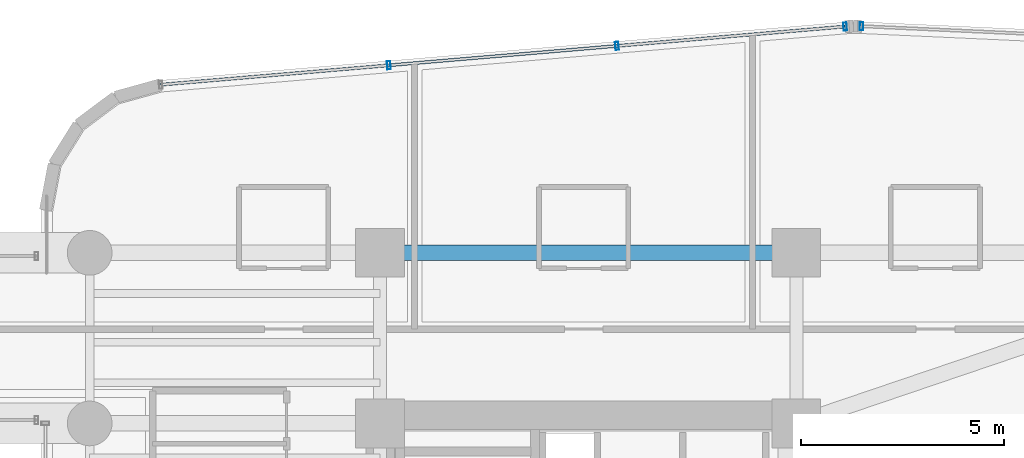
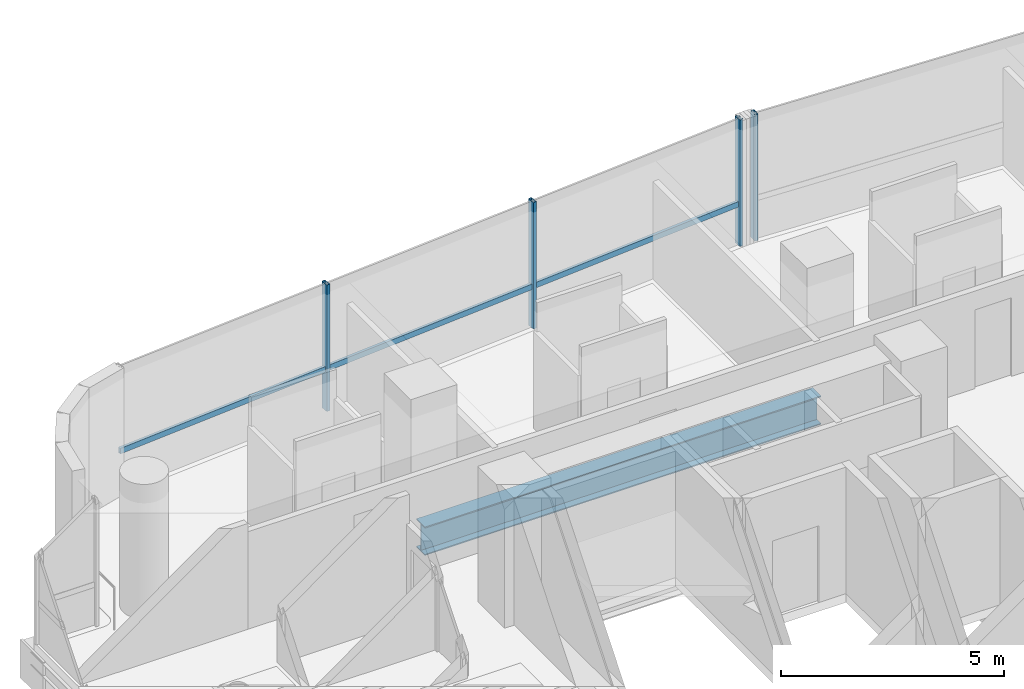
# One storey, part 20 of 35: 5 members, 1 beam, 2 elements without a shape of their own.
"""IFC4 building model written with IfcOpenShell, lengths in metres."""

import ifcopenshell
import ifcopenshell.guid

model = None  # the IFC model being written
_history = None  # IfcOwnerHistory: only IFC2X3 demands one
_inside = {}  # id of a spatial element -> (the spatial element, [elements in it])
_under = {}  # id of a project, library or spatial element -> (it, [spatial elements below it])
_declared = {}  # id of a project -> (the project, [libraries it declares])
_typed = {}  # id of a type object -> (the type object, [elements of that type])
_made_of = {}  # id of a material, layer set ... -> (it, [elements and type objects made of it])


def new_model(schema):
    """Start an empty IFC model of exactly this schema.

    Asked for "IFC4X3", IfcOpenShell would pick the latest addendum, in which some entities
    have other attributes; the version numbers below select the first issue.
    IFC2X3 requires an IfcOwnerHistory on every rooted entity: one is made here for all.
    """
    global model, _history
    if schema == "IFC4X3":
        model = ifcopenshell.file(schema_version=(4, 3, 0, 0))
    else:
        model = ifcopenshell.file(schema=schema)
    _inside.clear()
    _under.clear()
    _declared.clear()
    _typed.clear()
    _made_of.clear()
    _history = None
    if model.schema == "IFC2X3":
        org = make("IfcOrganization", Name="unknown")
        user = make(
            "IfcPersonAndOrganization",
            ThePerson=make("IfcPerson", FamilyName="unknown"),
            TheOrganization=org,
        )
        app = make(
            "IfcApplication",
            ApplicationDeveloper=org,
            Version="unknown",
            ApplicationFullName="unknown",
            ApplicationIdentifier="unknown",
        )
        _history = make(
            "IfcOwnerHistory",
            OwningUser=user,
            OwningApplication=app,
            ChangeAction="ADDED",
            CreationDate=0,
        )
    return model


def make(cls, **values):
    """One entity of the class cls with the attributes given. An attribute that is None is left unset."""
    return model.create_entity(
        cls, **{name: value for name, value in values.items() if value is not None}
    )


def rooted(cls, **values):
    """An entity with a GlobalId (a new one), such as an element, a storey or a relation."""
    return make(cls, GlobalId=ifcopenshell.guid.new(), OwnerHistory=_history, **values)


def si_unit(unit_type, name, prefix=None):
    """IfcSIUnit, for example si_unit("LENGTHUNIT", "METRE", prefix="MILLI")."""
    return make("IfcSIUnit", UnitType=unit_type, Prefix=prefix, Name=name)


def assignment(units):
    """IfcUnitAssignment: the units of a project."""
    return None if units is None else make("IfcUnitAssignment", Units=units)


def point(xyz):
    """IfcCartesianPoint."""
    return None if xyz is None else make("IfcCartesianPoint", Coordinates=xyz)


def direction(xyz):
    """IfcDirection."""
    return None if xyz is None else make("IfcDirection", DirectionRatios=xyz)


def frame(location, z_axis=None, x_axis=None):
    """IfcAxis2Placement3D, a coordinate frame: its origin and axes. An axis left out is left unset."""
    return make(
        "IfcAxis2Placement3D",
        Location=point(location),
        Axis=direction(z_axis),
        RefDirection=direction(x_axis),
    )


def frame_2d(location, x_axis=None):
    """IfcAxis2Placement2D, a coordinate frame in the plane: its origin and x axis."""
    return make(
        "IfcAxis2Placement2D", Location=point(location), RefDirection=direction(x_axis)
    )


def origin():
    """The frame at (0, 0, 0) with its axes left unset."""
    return frame((0.0, 0.0, 0.0))


def origin_2d():
    """The frame at (0, 0) in the plane with its x axis left unset."""
    return frame_2d((0.0, 0.0))


def place(relative_to, where):
    """IfcLocalPlacement: puts the frame where relative to a parent placement (None: the world)."""
    return make(
        "IfcLocalPlacement", PlacementRelTo=relative_to, RelativePlacement=where
    )


def context(
    kind, dimensions, precision=None, world=None, true_north=None, identifier=None
):
    """IfcGeometricRepresentationContext, for example the 3D "Model" context."""
    return make(
        "IfcGeometricRepresentationContext",
        ContextIdentifier=identifier,
        ContextType=kind,
        CoordinateSpaceDimension=dimensions,
        Precision=precision,
        WorldCoordinateSystem=world,
        TrueNorth=true_north,
    )


def subcontext(parent, identifier, kind, view, scale=None):
    """IfcGeometricRepresentationSubContext, for example "Body" below "Model"."""
    return make(
        "IfcGeometricRepresentationSubContext",
        ContextIdentifier=identifier,
        ContextType=kind,
        ParentContext=parent,
        TargetScale=scale,
        TargetView=view,
    )


def project(units=None, contexts=None):
    """IfcProject with its units and contexts."""
    return rooted(
        "IfcProject",
        Name="project",
        RepresentationContexts=contexts,
        UnitsInContext=assignment(units),
    )


def spatial(cls, under=None, at=None, **own):
    """A site, building, storey or space (cls), placed at a placement, below another one or the project."""
    s = rooted(cls, ObjectPlacement=at, **own)
    if under is not None:
        _under.setdefault(under.id(), (under, []))[1].append(s)
    return s


def profile(cls, at=None, kind="AREA", **sizes):
    """A parametric profile (cls). Its sizes go by their IFC names, for example OverallWidth=200.0."""
    return make(cls, ProfileType=kind, Position=at, **sizes)


def hollow_rectangle(**sizes):
    """IfcRectangleHollowProfileDef."""
    return profile("IfcRectangleHollowProfileDef", **sizes)


def i_section(**sizes):
    """IfcIShapeProfileDef."""
    return profile("IfcIShapeProfileDef", **sizes)


def extrude(swept, where, along, depth):
    """IfcExtrudedAreaSolid: the profile swept, set in the frame where, extruded along a direction by depth."""
    return make(
        "IfcExtrudedAreaSolid",
        SweptArea=swept,
        Position=where,
        ExtrudedDirection=direction(along),
        Depth=depth,
    )


def shape(context_of_items, identifier, shape_type, items):
    """IfcShapeRepresentation: the items that make up one representation, for example the "Body"."""
    return make(
        "IfcShapeRepresentation",
        ContextOfItems=context_of_items,
        RepresentationIdentifier=identifier,
        RepresentationType=shape_type,
        Items=items,
    )


def source(mapping_origin, context_of_items, identifier, shape_type, items):
    """IfcRepresentationMap: a shape defined once, which mapped items show again and again."""
    return make(
        "IfcRepresentationMap",
        MappingOrigin=mapping_origin,
        MappedRepresentation=shape(context_of_items, identifier, shape_type, items),
    )


def transform(
    local_origin,
    x_axis=None,
    y_axis=None,
    z_axis=None,
    scale=None,
    scale2=None,
    scale3=None,
    uniform=True,
):
    """IfcCartesianTransformationOperator3D, or its non-uniform kind. x_axis, y_axis, z_axis: its Axis1, 2, 3."""
    if uniform:
        return make(
            "IfcCartesianTransformationOperator3D",
            Axis1=direction(x_axis),
            Axis2=direction(y_axis),
            LocalOrigin=point(local_origin),
            Scale=scale,
            Axis3=direction(z_axis),
        )
    return make(
        "IfcCartesianTransformationOperator3DnonUniform",
        Axis1=direction(x_axis),
        Axis2=direction(y_axis),
        LocalOrigin=point(local_origin),
        Scale=scale,
        Axis3=direction(z_axis),
        Scale2=scale2,
        Scale3=scale3,
    )


def mapped(mapping_source, mapping_target):
    """IfcMappedItem: shows the shape of a source again, moved by a transform."""
    return make(
        "IfcMappedItem", MappingSource=mapping_source, MappingTarget=mapping_target
    )


def material(Name=None, Category=None):
    """IfcMaterial."""
    return make("IfcMaterial", Name=Name, Category=Category)


def material_profile(
    of_material, cross_section, Name=None, Category=None, Priority=None
):
    """IfcMaterialProfile: a cross section and its material."""
    return make(
        "IfcMaterialProfile",
        Name=Name,
        Material=of_material,
        Profile=cross_section,
        Priority=Priority,
        Category=Category,
    )


def profile_set(profiles, Name=None, composite=None):
    """IfcMaterialProfileSet."""
    return make(
        "IfcMaterialProfileSet",
        Name=Name,
        MaterialProfiles=profiles,
        CompositeProfile=composite,
    )


def made_of(thing, what):
    """Note that an element or type object is made of a material, layer set ...; save() writes the relation."""
    if what is not None:
        _made_of.setdefault(what.id(), (what, []))[1].append(thing)
    return thing


def type_object(cls, material=None, **own):
    """A type object (cls), such as IfcWallType, which elements share."""
    return made_of(rooted(cls, **own), material)


def element(
    cls,
    number,
    at=None,
    inside=None,
    cuts=None,
    type_object=None,
    material=None,
    context=None,
    identifier="Body",
    shape_type=None,
    held_by="IfcProductDefinitionShape",
    body=None,
    shapes=None,
    **own,
):
    """One element of the class cls, such as IfcWall. Its Tag is "e" and its number.

    at: its placement. inside: the storey or other place that contains it. cuts: it is an
    opening in that element (IfcRelVoidsElement). A single representation is given by context,
    identifier, shape_type and body (its items); several are given by shapes. held_by: the class
    of the entity that holds the representations. save() writes the other relations.
    """
    e = rooted(cls, Tag="e%d" % number, ObjectPlacement=at, **own)
    if body is not None:
        shapes = [shape(context, identifier, shape_type, body)]
    if shapes is not None:
        e.Representation = make(held_by, Representations=shapes)
    if inside is not None:
        _inside.setdefault(inside.id(), (inside, []))[1].append(e)
    if cuts is not None:
        rooted(
            "IfcRelVoidsElement", RelatingBuildingElement=cuts, RelatedOpeningElement=e
        )
    if type_object is not None:
        _typed.setdefault(type_object.id(), (type_object, []))[1].append(e)
    return made_of(e, material)


def aggregate(whole, parts):
    """IfcRelAggregates: a whole, such as a stair, and the parts it consists of."""
    return rooted("IfcRelAggregates", RelatingObject=whole, RelatedObjects=parts)


def save(model, path):
    """Write the relations noted so far, then the file.

    IfcRelAggregates (storeys below a building ...), IfcRelContainedInSpatialStructure (elements
    in a storey), IfcRelDefinesByType, IfcRelAssociatesMaterial and IfcRelDeclares: one each for
    every whole, place, type object, material and project.
    """
    for whole, parts in _under.values():
        aggregate(whole, parts)
    for where, things in _inside.values():
        rooted(
            "IfcRelContainedInSpatialStructure",
            RelatedElements=things,
            RelatingStructure=where,
        )
    for kind, things in _typed.values():
        rooted("IfcRelDefinesByType", RelatedObjects=things, RelatingType=kind)
    for what, things in _made_of.values():
        rooted("IfcRelAssociatesMaterial", RelatedObjects=things, RelatingMaterial=what)
    for by, libraries in _declared.values():
        rooted("IfcRelDeclares", RelatingContext=by, RelatedDefinitions=libraries)
    model.write(path)


model = new_model("IFC4")

# Units and contexts
model_context = context("Model", 3, precision=1e-05, world=origin(), true_north=direction((0.0, 1.0)))
body_context = subcontext(model_context, "Body", "Model", "MODEL_VIEW")
ifc_project = project(units=[si_unit("LENGTHUNIT", "METRE"), si_unit("AREAUNIT", "SQUARE_METRE"), si_unit("VOLUMEUNIT", "CUBIC_METRE"), si_unit("PLANEANGLEUNIT", "RADIAN"), si_unit("MASSUNIT", "GRAM", prefix="KILO")], contexts=[model_context])

# Site, building, storey
site_placement = place(None, origin())
site = spatial("IfcSite", under=ifc_project, at=site_placement, CompositionType="ELEMENT")
building_placement = place(site_placement, origin())
building = spatial("IfcBuilding", under=site, at=building_placement, Name="Valdorenza Pilgrim Sanctuary Tower", CompositionType="ELEMENT")
storey_placement = place(building_placement, frame((0.0, 0.0, 116.800048828125)))
storey = spatial("IfcBuildingStorey", under=building, at=storey_placement, Name="L29", CompositionType="ELEMENT", Elevation=116.800048828125)

# Beam
ifc_material_1 = material(Name="Steel ASTM A992 Grade 50", Category="steel")
ifc_material_profile_1 = material_profile(ifc_material_1, i_section(OverallWidth=0.382080078125, OverallDepth=0.779052734375, WebThickness=0.01806640625, FlangeThickness=0.030029296875, at=origin_2d()), Name="W30X191")
ifc_profile_set_1 = profile_set([ifc_material_profile_1], Name="Steel ASTM A992 Grade 50")
beam_type = type_object("IfcBeamType", Name="STR-BM-GRD-W30", PredefinedType="BEAM", material=ifc_profile_set_1)
shared_shape_1 = source(origin(), body_context, "Body", "SweptSolid", [
    extrude(i_section(OverallWidth=0.382080078125, OverallDepth=0.779052734375, WebThickness=0.01806640625, FlangeThickness=0.030029296875, at=origin_2d()), origin(), (0.0, 0.0, 1.0), 10.25),
])
beam_placement = place(storey_placement, frame((-22.64990234375, 14.800048828125, -0.629638671875), z_axis=(1.0, 0.0, 0.0), x_axis=(0.0, 1.0, 0.0)))
element("IfcBeam", 1, at=beam_placement, inside=storey, type_object=beam_type, Name="L29 Floor Girder CA-XC-N2", PredefinedType="BEAM", context=body_context, shape_type="MappedRepresentation", body=[
    mapped(shared_shape_1, transform((0.0, 0.0, 0.0), x_axis=(1.0, 0.0, 0.0), y_axis=(0.0, 1.0, 0.0), z_axis=(0.0, 0.0, 1.0), scale=1.0)),
])

# Curtain wall, members
ifc_material_2 = material(Name="Curtain-wall IGU glazing", Category="glass")
curtain_wall_type = type_object("IfcCurtainWallType", Name="CW-SYS-02", PredefinedType="NOTDEFINED", material=ifc_material_2)
curtain_wall_1_placement = place(storey_placement, origin())
curtain_wall_1 = element("IfcCurtainWall", 2, at=curtain_wall_1_placement, inside=storey, type_object=curtain_wall_type, Name="L29 Curtain Wall CW-L29-1-6", PredefinedType="NOTDEFINED")
ifc_material_3 = material(Name="Anodised aluminium AW-6060", Category="aluminium")
ifc_material_profile_2 = material_profile(ifc_material_3, hollow_rectangle(XDim=0.0849609375, YDim=0.199951171875, WallThickness=0.0048828125, at=origin_2d()), Name="ALU-M 200x85x5")
ifc_profile_set_2 = profile_set([ifc_material_profile_2], Name="Anodised aluminium AW-6060")
member_type_1 = type_object("IfcMemberType", Name="CW-MUL-02", PredefinedType="MULLION", material=ifc_profile_set_2)
shared_shape_2 = source(origin(), body_context, "Body", "SweptSolid", [
    extrude(hollow_rectangle(XDim=0.0849609375, YDim=0.199951171875, WallThickness=0.0048828125, at=origin_2d()), origin(), (0.0, 0.0, 1.0), 3.4599609375),
])
member_1_placement = place(storey_placement, frame((-22.43408203125, 19.417724609375, 0.0), z_axis=(0.0, 0.0, 1.0), x_axis=(0.99640764237, 0.084686541006, 0.0)))
member_1 = element("IfcMember", 3, at=member_1_placement, type_object=member_type_1, Name="CW-L29-1-6 Mullion 2", PredefinedType="MULLION", context=body_context, shape_type="MappedRepresentation", body=[
    mapped(shared_shape_2, transform((0.0, 0.0, 0.0), x_axis=(1.0, 0.0, 0.0), y_axis=(0.0, 1.0, 0.0), z_axis=(0.0, 0.0, 1.0), scale=1.0)),
])
member_2_placement = place(storey_placement, frame((-16.81689453125, 19.895263671875, 0.0), z_axis=(0.0, 0.0, 1.0), x_axis=(0.99640764237, 0.084686541006, 0.0)))
member_2 = element("IfcMember", 4, at=member_2_placement, type_object=member_type_1, Name="CW-L29-1-6 Mullion 3", PredefinedType="MULLION", context=body_context, shape_type="MappedRepresentation", body=[
    mapped(shared_shape_2, transform((0.0, 0.0, 0.0), x_axis=(1.0, 0.0, 0.0), y_axis=(0.0, 1.0, 0.0), z_axis=(0.0, 0.0, 1.0), scale=1.0)),
])
member_3_placement = place(storey_placement, frame((-11.199462890625, 20.37255859375, 0.0), z_axis=(0.0, 0.0, 1.0), x_axis=(0.99640764237, 0.084686541006, 0.0)))
member_3 = element("IfcMember", 5, at=member_3_placement, type_object=member_type_1, Name="CW-L29-1-6 Mullion 4", PredefinedType="MULLION", context=body_context, shape_type="MappedRepresentation", body=[
    mapped(shared_shape_2, transform((0.0, 0.0, 0.0), x_axis=(1.0, 0.0, 0.0), y_axis=(0.0, 1.0, 0.0), z_axis=(0.0, 0.0, 1.0), scale=1.0)),
])

# Curtain wall, member
curtain_wall_2_placement = place(storey_placement, origin())
curtain_wall_2 = element("IfcCurtainWall", 6, at=curtain_wall_2_placement, inside=storey, type_object=curtain_wall_type, Name="L29 Curtain Wall CW-L29-1-11", PredefinedType="NOTDEFINED")
member_4_placement = place(storey_placement, frame((-10.795654296875, 20.380615234375, 0.0), z_axis=(0.0, 0.0, 1.0), x_axis=(0.998968193221, -0.045415294044, 0.0)))
member_4 = element("IfcMember", 7, at=member_4_placement, type_object=member_type_1, Name="CW-L29-1-11 Mullion 1", PredefinedType="MULLION", context=body_context, shape_type="MappedRepresentation", body=[
    mapped(shared_shape_2, transform((0.0, 0.0, 0.0), x_axis=(1.0, 0.0, 0.0), y_axis=(0.0, 1.0, 0.0), z_axis=(0.0, 0.0, 1.0), scale=1.0)),
])
aggregate(curtain_wall_2, [member_4])

# Member
ifc_material_profile_3 = material_profile(ifc_material_3, hollow_rectangle(XDim=0.074951171875, YDim=0.14990234375, WallThickness=0.00390625, at=origin_2d()), Name="ALU-T 150x75x4")
ifc_profile_set_3 = profile_set([ifc_material_profile_3], Name="Anodised aluminium AW-6060")
member_type_2 = type_object("IfcMemberType", Name="CW-TRN-02", PredefinedType="USERDEFINED", material=ifc_profile_set_3)
shared_shape_3 = source(origin(), body_context, "Body", "SweptSolid", [
    extrude(hollow_rectangle(XDim=0.074951171875, YDim=0.14990234375, WallThickness=0.00390625, at=origin_2d()), origin(), (0.0, 0.0, 1.0), 16.912841796875),
])
member_5_placement = place(storey_placement, frame((-28.051513671875, 18.940185546875, 1.119873046875), z_axis=(0.996407213932, 0.084691581783, 0.0), x_axis=(-0.084691581783, 0.996407213932, 0.0)))
member_5 = element("IfcMember", 8, at=member_5_placement, type_object=member_type_2, Name="CW-L29-1-6 Transom 1", ObjectType="TRANSOM", PredefinedType="USERDEFINED", context=body_context, shape_type="MappedRepresentation", body=[
    mapped(shared_shape_3, transform((0.0, 0.0, 0.0), x_axis=(1.0, 0.0, 0.0), y_axis=(0.0, 1.0, 0.0), z_axis=(0.0, 0.0, 1.0), scale=1.0)),
])

aggregate(curtain_wall_1, [member_1, member_2, member_3, member_5])

save(model, "model.ifc")
